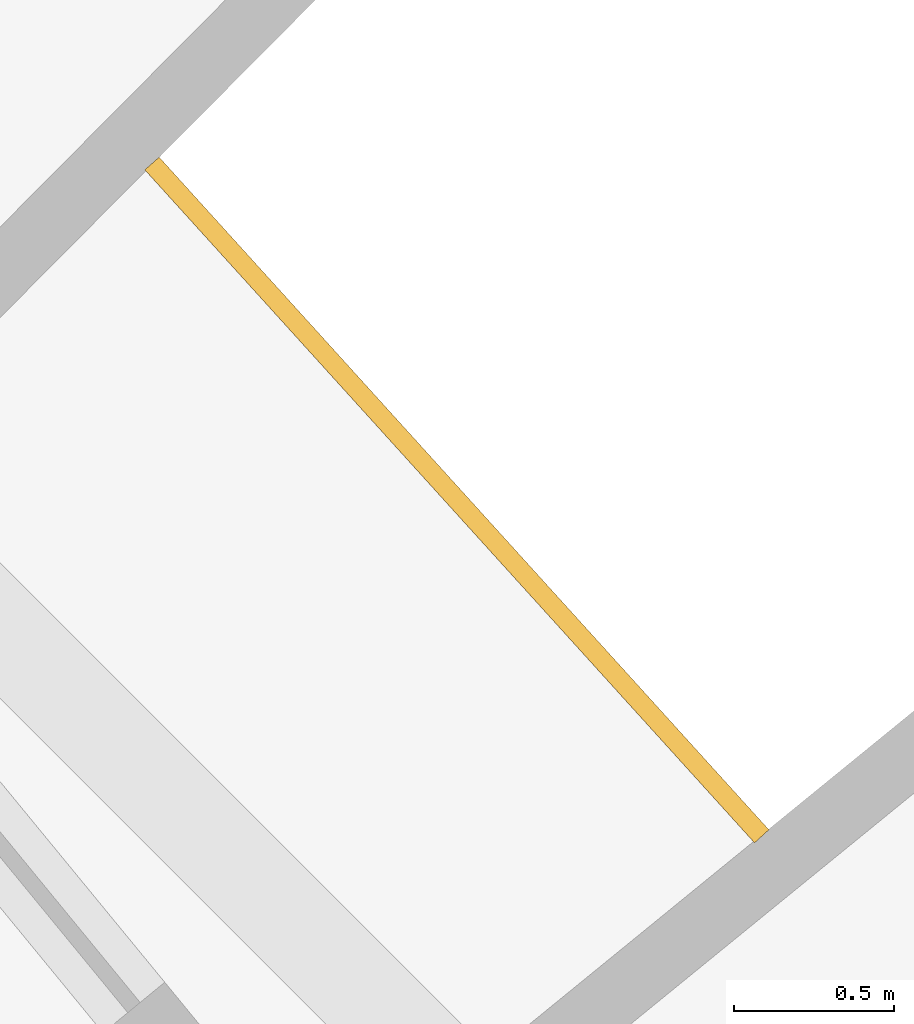
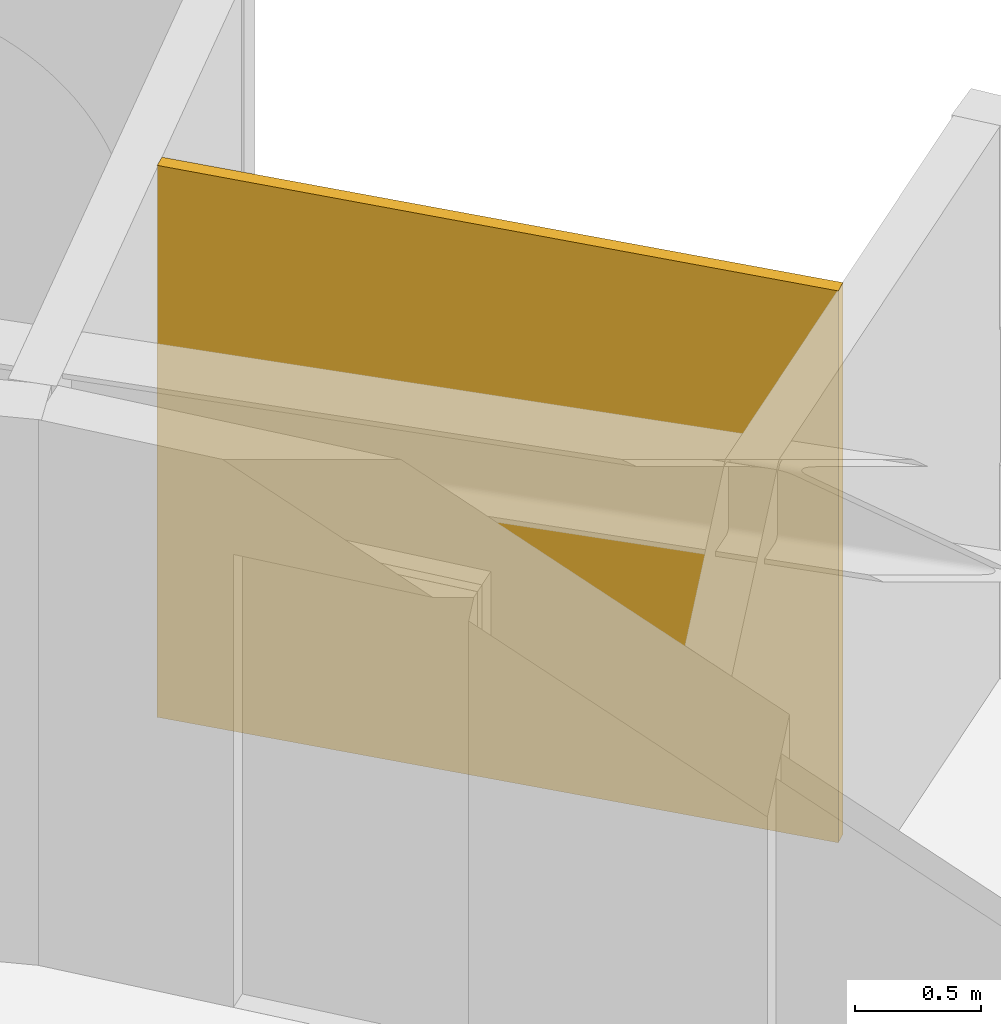
# One storey, part 27 of 27: 1 railing.
"""IFC4 building model written with IfcOpenShell, lengths in metres."""

from ifc_helpers import new_model, si_unit, direction, frame, origin, place, context, subcontext, project, spatial, polyline, outline, extrude, material, layer, layer_set, type_object, element, save


model = new_model("IFC4")

# Units and contexts
model_context = context("Model", 3, precision=1e-05, world=origin(), true_north=direction((0.0, 1.0)))
body_context = subcontext(model_context, "Body", "Model", "MODEL_VIEW")
ifc_project = project(units=[si_unit("LENGTHUNIT", "METRE"), si_unit("AREAUNIT", "SQUARE_METRE"), si_unit("VOLUMEUNIT", "CUBIC_METRE"), si_unit("PLANEANGLEUNIT", "RADIAN"), si_unit("MASSUNIT", "GRAM", prefix="KILO")], contexts=[model_context])

# Site, building, storey
site_placement = place(None, origin())
site = spatial("IfcSite", under=ifc_project, at=site_placement, CompositionType="ELEMENT")
building_placement = place(site_placement, origin())
building = spatial("IfcBuilding", under=site, at=building_placement, Name="Maasbend Ring Residences", CompositionType="ELEMENT")
storey_placement = place(building_placement, frame((0.0, 0.0, 136.050048828125)))
storey = spatial("IfcBuildingStorey", under=building, at=storey_placement, Name="L39", CompositionType="ELEMENT", Elevation=136.050048828125)

# Railing
ifc_material = material(Name="Pale anodised perforated aluminium", Category="aluminium")
ifc_layer = layer(ifc_material, 0.06005859375)
ifc_layer_set = layer_set([ifc_layer], Name="SCREEN-P")
railing_type = type_object("IfcRailingType", Name="SCREEN-P", PredefinedType="GUARDRAIL", material=ifc_layer_set)
railing_placement = place(storey_placement, frame((0.0, 0.0, -0.030029296875)))
element("IfcRailing", 1, at=railing_placement, inside=storey, type_object=railing_type, Name="Perforated screen guard 1", PredefinedType="GUARDRAIL", context=body_context, shape_type="SweptSolid", body=[
    extrude(outline(polyline([(22.4169921875, 18.39697265625), (20.506103515625, 20.506103515625), (20.551025390625, 20.5458984375), (22.4619140625, 18.43798828125), (22.4169921875, 18.39697265625)])), origin(), (0.0, 0.0, 1.0), 2.679931640625),
])

save(model, "model.ifc")
